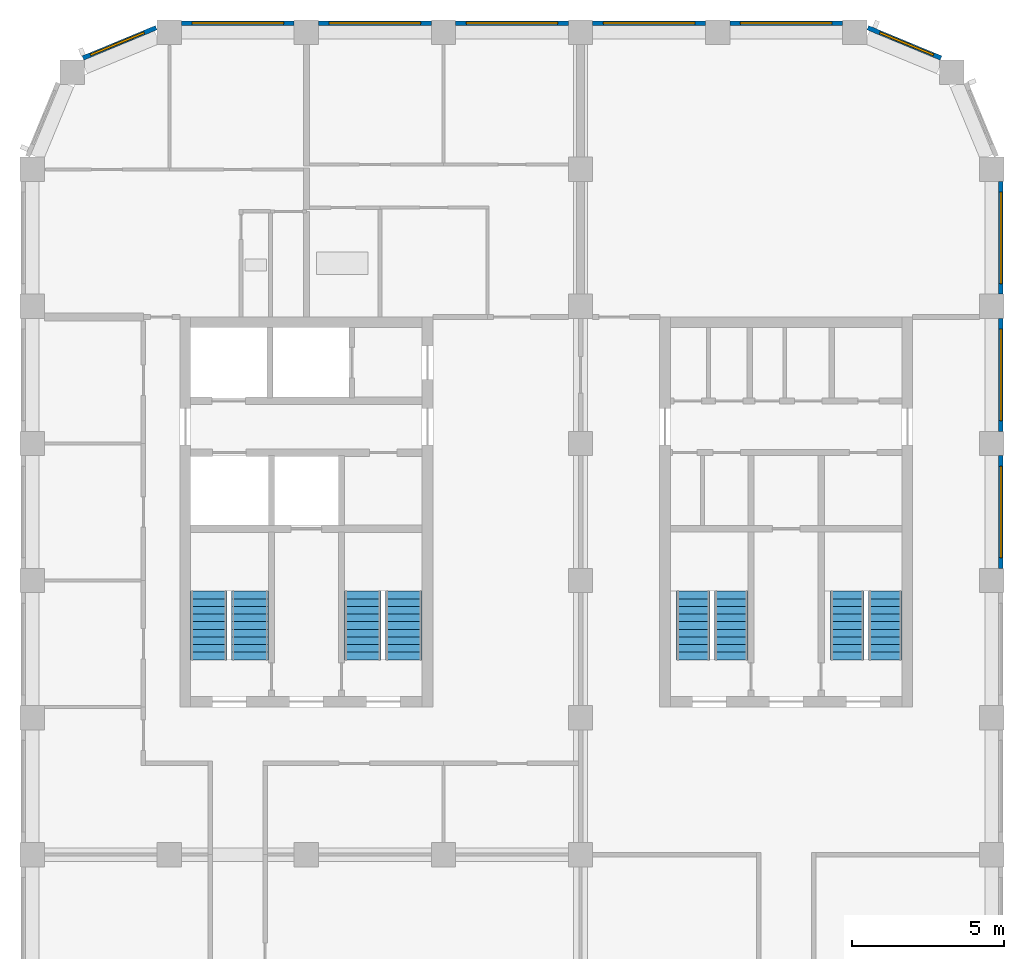
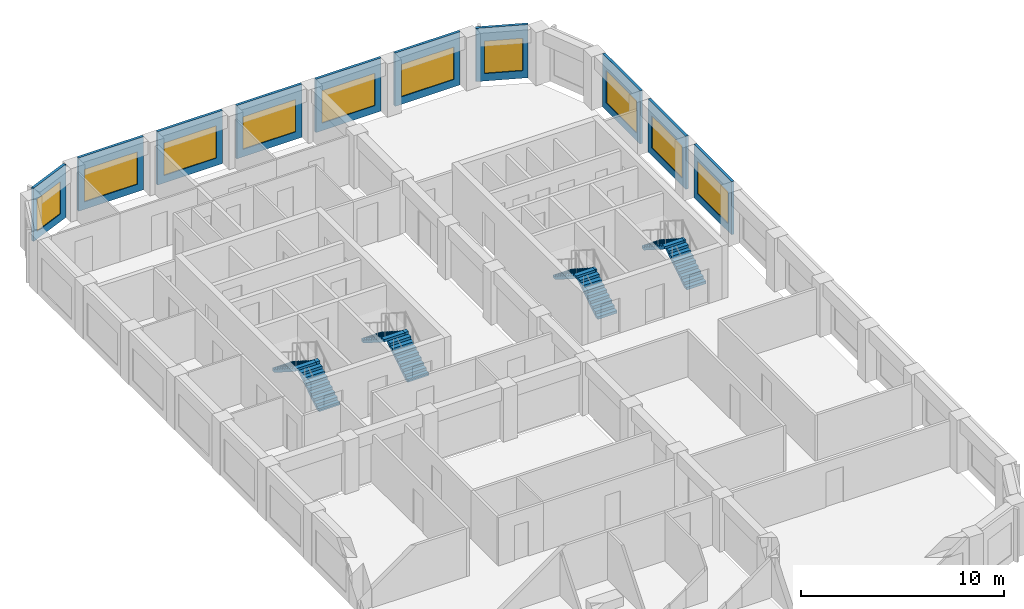
# One storey, part 7 of 9: 10 walls, 10 windows, 8 stair flights, 10 openings, 4 elements without a shape of their own.
"""IFC4 building model written with IfcOpenShell, lengths in metres."""

from ifc_helpers import new_model, si_unit, direction, frame, frame_2d, origin, place, context, subcontext, project, spatial, polyline, rectangle, outline, extrude, material, layer, layer_set, type_object, element, fill, aggregate, save


model = new_model("IFC4")

# Units and contexts
model_context = context("Model", 3, precision=1e-05, world=origin(), true_north=direction((0.0, 1.0)))
body_context = subcontext(model_context, "Body", "Model", "MODEL_VIEW")
ifc_project = project(units=[si_unit("LENGTHUNIT", "METRE"), si_unit("AREAUNIT", "SQUARE_METRE"), si_unit("VOLUMEUNIT", "CUBIC_METRE"), si_unit("PLANEANGLEUNIT", "RADIAN"), si_unit("MASSUNIT", "GRAM", prefix="KILO")], contexts=[model_context])

# Site, building, storey
site_placement = place(None, origin())
site = spatial("IfcSite", under=ifc_project, at=site_placement, CompositionType="ELEMENT")
building_placement = place(site_placement, origin())
building = spatial("IfcBuilding", under=site, at=building_placement, Name="Girih Gate Residences", CompositionType="ELEMENT")
storey_placement = place(building_placement, frame((0.0, 0.0, 216.4951171875)))
storey = spatial("IfcBuildingStorey", under=building, at=storey_placement, Name="L60", CompositionType="ELEMENT", Elevation=216.4951171875)

# Wall, opening, window
ifc_material_1 = material(Name="Precast concrete C50/60", Category="concrete")
ifc_layer_1 = layer(ifc_material_1, 0.050048828125, Name="Outer leaf")
ifc_material_2 = material(Name="Rigid PIR insulation")
ifc_layer_2 = layer(ifc_material_2, 0.06005859375, Name="Insulation")
ifc_material_3 = material(Name="Precast concrete C40/50", Category="concrete")
ifc_layer_3 = layer(ifc_material_3, 0.0400390625, Name="Inner leaf")
ifc_layer_set = layer_set([ifc_layer_1, ifc_layer_2, ifc_layer_3], Name="Precast concrete C50/60 external wall 150")
wall_type = type_object("IfcWallType", Name="Precast concrete C50/60 external wall 150", PredefinedType="SOLIDWALL", material=ifc_layer_set)
wall_1_placement = place(storey_placement, frame((31.800048828125, 35.60009765625, 0.0), z_axis=(0.0, 0.0, 1.0), x_axis=(0.0, -1.0, 0.0)))
wall_1 = element("IfcWall", 1, at=wall_1_placement, inside=storey, type_object=wall_type, Name="External wall E0315_0045.6", PredefinedType="SOLIDWALL", context=body_context, shape_type="SweptSolid", body=[
    extrude(rectangle(XDim=3.7001953125, YDim=0.14990234375, at=frame_2d((1.85009765625, 0.0))), origin(), (0.0, 0.0, 1.0), 3.199951171875),
])
opening_1_placement = place(wall_1_placement, frame((0.35009765625, 0.0, 0.449951171875)))
opening_1 = element("IfcOpeningElement", 2, at=opening_1_placement, cuts=wall_1, Name="Opening W-1D", PredefinedType="OPENING", context=body_context, shape_type="SweptSolid", body=[
    extrude(rectangle(XDim=3.0, YDim=1.949951171875, at=frame_2d((1.5, 0.97509765625))), frame((0.0, 0.0849609375, 0.0), z_axis=(0.0, -1.0, 0.0), x_axis=(1.0, 0.0, 0.0)), (0.0, 0.0, 1.0), 0.169921875),
])
ifc_material_4 = material(Name="Double glazing in aluminium frame", Category="aluminium")
window_type_1 = type_object("IfcWindowType", Name="Window W-1D 3000x1950", PartitioningType="SINGLE_PANEL", PredefinedType="WINDOW", material=ifc_material_4)
window_1_placement = place(opening_1_placement, origin())
window_1 = element("IfcWindow", 3, at=window_1_placement, inside=storey, type_object=window_type_1, Name="Window W-1D E0315_0045.6", OverallHeight=1.949951171875, OverallWidth=3.0, PartitioningType="SINGLE_PANEL", PredefinedType="WINDOW", context=body_context, shape_type="SweptSolid", body=[
    extrude(rectangle(XDim=3.0, YDim=1.949951171875, at=frame_2d((1.5, 0.97509765625))), frame((0.0, 0.030029296875, 0.0), z_axis=(0.0, -1.0, 0.0), x_axis=(1.0, 0.0, 0.0)), (0.0, 0.0, 1.0), 0.06005859375),
])
fill(opening_1, window_1)

wall_2_placement = place(storey_placement, frame((31.800048828125, 40.10009765625, 0.0), z_axis=(0.0, 0.0, 1.0), x_axis=(0.0, -1.0, 0.0)))
wall_2 = element("IfcWall", 4, at=wall_2_placement, inside=storey, type_object=wall_type, Name="External wall E0315_0045.7", PredefinedType="SOLIDWALL", context=body_context, shape_type="SweptSolid", body=[
    extrude(rectangle(XDim=3.7001953125, YDim=0.14990234375, at=frame_2d((1.85009765625, 0.0))), origin(), (0.0, 0.0, 1.0), 3.199951171875),
])
opening_2_placement = place(wall_2_placement, frame((0.35009765625, 0.0, 0.449951171875)))
opening_2 = element("IfcOpeningElement", 5, at=opening_2_placement, cuts=wall_2, Name="Opening W-1D", PredefinedType="OPENING", context=body_context, shape_type="SweptSolid", body=[
    extrude(rectangle(XDim=3.0, YDim=1.949951171875, at=frame_2d((1.5, 0.97509765625))), frame((0.0, 0.0849609375, 0.0), z_axis=(0.0, -1.0, 0.0), x_axis=(1.0, 0.0, 0.0)), (0.0, 0.0, 1.0), 0.169921875),
])
window_2_placement = place(opening_2_placement, origin())
window_2 = element("IfcWindow", 6, at=window_2_placement, inside=storey, type_object=window_type_1, Name="Window W-1D E0315_0045.7", OverallHeight=1.949951171875, OverallWidth=3.0, PartitioningType="SINGLE_PANEL", PredefinedType="WINDOW", context=body_context, shape_type="SweptSolid", body=[
    extrude(rectangle(XDim=3.0, YDim=1.949951171875, at=frame_2d((1.5, 0.97509765625))), frame((0.0, 0.030029296875, 0.0), z_axis=(0.0, -1.0, 0.0), x_axis=(1.0, 0.0, 0.0)), (0.0, 0.0, 1.0), 0.06005859375),
])
fill(opening_2, window_2)

wall_3_placement = place(storey_placement, frame((31.800048828125, 44.60009765625, 0.0), z_axis=(0.0, 0.0, 1.0), x_axis=(0.0, -1.0, 0.0)))
wall_3 = element("IfcWall", 7, at=wall_3_placement, inside=storey, type_object=wall_type, Name="External wall E0315_0045.8", PredefinedType="SOLIDWALL", context=body_context, shape_type="SweptSolid", body=[
    extrude(rectangle(XDim=3.7001953125, YDim=0.14990234375, at=frame_2d((1.85009765625, 0.0))), origin(), (0.0, 0.0, 1.0), 3.199951171875),
])
opening_3_placement = place(wall_3_placement, frame((0.35009765625, 0.0, 0.449951171875)))
opening_3 = element("IfcOpeningElement", 8, at=opening_3_placement, cuts=wall_3, Name="Opening W-1D", PredefinedType="OPENING", context=body_context, shape_type="SweptSolid", body=[
    extrude(rectangle(XDim=3.0, YDim=1.949951171875, at=frame_2d((1.5, 0.97509765625))), frame((0.0, 0.0849609375, 0.0), z_axis=(0.0, -1.0, 0.0), x_axis=(1.0, 0.0, 0.0)), (0.0, 0.0, 1.0), 0.169921875),
])
window_3_placement = place(opening_3_placement, origin())
window_3 = element("IfcWindow", 9, at=window_3_placement, inside=storey, type_object=window_type_1, Name="Window W-1D E0315_0045.8", OverallHeight=1.949951171875, OverallWidth=3.0, PartitioningType="SINGLE_PANEL", PredefinedType="WINDOW", context=body_context, shape_type="SweptSolid", body=[
    extrude(rectangle(XDim=3.0, YDim=1.949951171875, at=frame_2d((1.5, 0.97509765625))), frame((0.0, 0.030029296875, 0.0), z_axis=(0.0, -1.0, 0.0), x_axis=(1.0, 0.0, 0.0)), (0.0, 0.0, 1.0), 0.06005859375),
])
fill(opening_3, window_3)

wall_4_placement = place(storey_placement, frame((27.4287109375, 49.647216796875, 0.0), z_axis=(0.0, 0.0, 1.0), x_axis=(0.923885342263, -0.382669406082, 0.0)))
wall_4 = element("IfcWall", 10, at=wall_4_placement, inside=storey, type_object=wall_type, Name="External wall NE0302_0482.0", PredefinedType="SOLIDWALL", context=body_context, shape_type="SweptSolid", body=[
    extrude(rectangle(XDim=2.602294921875, YDim=0.14990234375, at=frame_2d((1.30126953125, 0.0))), origin(), (0.0, 0.0, 1.0), 3.199951171875),
])
opening_4_placement = place(wall_4_placement, frame((0.432373046875, 0.0, 0.449951171875)))
opening_4 = element("IfcOpeningElement", 11, at=opening_4_placement, cuts=wall_4, Name="Opening W-2G", PredefinedType="OPENING", context=body_context, shape_type="SweptSolid", body=[
    extrude(rectangle(XDim=1.89990234375, YDim=1.949951171875, at=frame_2d((0.949951171875, 0.97509765625))), frame((0.0, 0.0849609375, 0.0), z_axis=(0.0, -1.0, 0.0), x_axis=(1.0, 0.0, 0.0)), (0.0, 0.0, 1.0), 0.169921875),
])
window_type_2 = type_object("IfcWindowType", Name="Window W-2G 1900x1950", PartitioningType="SINGLE_PANEL", PredefinedType="WINDOW", material=ifc_material_4)
window_4_placement = place(opening_4_placement, origin())
window_4 = element("IfcWindow", 12, at=window_4_placement, inside=storey, type_object=window_type_2, Name="Window W-2G NE0302_0482.0", OverallHeight=1.949951171875, OverallWidth=1.89990234375, PartitioningType="SINGLE_PANEL", PredefinedType="WINDOW", context=body_context, shape_type="SweptSolid", body=[
    extrude(rectangle(XDim=1.89990234375, YDim=1.949951171875, at=frame_2d((0.949951171875, 0.97509765625))), frame((0.0, 0.030029296875, 0.0), z_axis=(0.0, -1.0, 0.0), x_axis=(1.0, 0.0, 0.0)), (0.0, 0.0, 1.0), 0.06005859375),
])
fill(opening_4, window_4)

wall_5_placement = place(storey_placement, frame((22.89990234375, 49.800048828125, 0.0), z_axis=(0.0, 0.0, 1.0), x_axis=(1.0, 0.0, 0.0)))
wall_5 = element("IfcWall", 13, at=wall_5_placement, inside=storey, type_object=wall_type, Name="External wall N0270_0495.0", PredefinedType="SOLIDWALL", context=body_context, shape_type="SweptSolid", body=[
    extrude(rectangle(XDim=3.7001953125, YDim=0.14990234375, at=frame_2d((1.85009765625, 0.0))), origin(), (0.0, 0.0, 1.0), 3.199951171875),
])
opening_5_placement = place(wall_5_placement, frame((0.35009765625, 0.0, 0.449951171875)))
opening_5 = element("IfcOpeningElement", 14, at=opening_5_placement, cuts=wall_5, Name="Opening W-1D", PredefinedType="OPENING", context=body_context, shape_type="SweptSolid", body=[
    extrude(rectangle(XDim=3.0, YDim=1.949951171875, at=frame_2d((1.5, 0.97509765625))), frame((0.0, 0.0849609375, 0.0), z_axis=(0.0, -1.0, 0.0), x_axis=(1.0, 0.0, 0.0)), (0.0, 0.0, 1.0), 0.169921875),
])
window_5_placement = place(opening_5_placement, origin())
window_5 = element("IfcWindow", 15, at=window_5_placement, inside=storey, type_object=window_type_1, Name="Window W-1D N0270_0495.0", OverallHeight=1.949951171875, OverallWidth=3.0, PartitioningType="SINGLE_PANEL", PredefinedType="WINDOW", context=body_context, shape_type="SweptSolid", body=[
    extrude(rectangle(XDim=3.0, YDim=1.949951171875, at=frame_2d((1.5, 0.97509765625))), frame((0.0, 0.030029296875, 0.0), z_axis=(0.0, -1.0, 0.0), x_axis=(1.0, 0.0, 0.0)), (0.0, 0.0, 1.0), 0.06005859375),
])
fill(opening_5, window_5)

wall_6_placement = place(storey_placement, frame((18.39990234375, 49.800048828125, 0.0), z_axis=(0.0, 0.0, 1.0), x_axis=(1.0, 0.0, 0.0)))
wall_6 = element("IfcWall", 16, at=wall_6_placement, inside=storey, type_object=wall_type, Name="External wall N0270_0495.1", PredefinedType="SOLIDWALL", context=body_context, shape_type="SweptSolid", body=[
    extrude(rectangle(XDim=3.7001953125, YDim=0.14990234375, at=frame_2d((1.85009765625, 0.0))), origin(), (0.0, 0.0, 1.0), 3.199951171875),
])
opening_6_placement = place(wall_6_placement, frame((0.35009765625, 0.0, 0.449951171875)))
opening_6 = element("IfcOpeningElement", 17, at=opening_6_placement, cuts=wall_6, Name="Opening W-1D", PredefinedType="OPENING", context=body_context, shape_type="SweptSolid", body=[
    extrude(rectangle(XDim=3.0, YDim=1.949951171875, at=frame_2d((1.5, 0.97509765625))), frame((0.0, 0.0849609375, 0.0), z_axis=(0.0, -1.0, 0.0), x_axis=(1.0, 0.0, 0.0)), (0.0, 0.0, 1.0), 0.169921875),
])
window_6_placement = place(opening_6_placement, origin())
window_6 = element("IfcWindow", 18, at=window_6_placement, inside=storey, type_object=window_type_1, Name="Window W-1D N0270_0495.1", OverallHeight=1.949951171875, OverallWidth=3.0, PartitioningType="SINGLE_PANEL", PredefinedType="WINDOW", context=body_context, shape_type="SweptSolid", body=[
    extrude(rectangle(XDim=3.0, YDim=1.949951171875, at=frame_2d((1.5, 0.97509765625))), frame((0.0, 0.030029296875, 0.0), z_axis=(0.0, -1.0, 0.0), x_axis=(1.0, 0.0, 0.0)), (0.0, 0.0, 1.0), 0.06005859375),
])
fill(opening_6, window_6)

wall_7_placement = place(storey_placement, frame((13.89990234375, 49.800048828125, 0.0), z_axis=(0.0, 0.0, 1.0), x_axis=(1.0, 0.0, 0.0)))
wall_7 = element("IfcWall", 19, at=wall_7_placement, inside=storey, type_object=wall_type, Name="External wall N0270_0495.2", PredefinedType="SOLIDWALL", context=body_context, shape_type="SweptSolid", body=[
    extrude(rectangle(XDim=3.7001953125, YDim=0.14990234375, at=frame_2d((1.85009765625, 0.0))), origin(), (0.0, 0.0, 1.0), 3.199951171875),
])
opening_7_placement = place(wall_7_placement, frame((0.35009765625, 0.0, 0.449951171875)))
opening_7 = element("IfcOpeningElement", 20, at=opening_7_placement, cuts=wall_7, Name="Opening W-1D", PredefinedType="OPENING", context=body_context, shape_type="SweptSolid", body=[
    extrude(rectangle(XDim=3.0, YDim=1.949951171875, at=frame_2d((1.5, 0.97509765625))), frame((0.0, 0.0849609375, 0.0), z_axis=(0.0, -1.0, 0.0), x_axis=(1.0, 0.0, 0.0)), (0.0, 0.0, 1.0), 0.169921875),
])
window_7_placement = place(opening_7_placement, origin())
window_7 = element("IfcWindow", 21, at=window_7_placement, inside=storey, type_object=window_type_1, Name="Window W-1D N0270_0495.2", OverallHeight=1.949951171875, OverallWidth=3.0, PartitioningType="SINGLE_PANEL", PredefinedType="WINDOW", context=body_context, shape_type="SweptSolid", body=[
    extrude(rectangle(XDim=3.0, YDim=1.949951171875, at=frame_2d((1.5, 0.97509765625))), frame((0.0, 0.030029296875, 0.0), z_axis=(0.0, -1.0, 0.0), x_axis=(1.0, 0.0, 0.0)), (0.0, 0.0, 1.0), 0.06005859375),
])
fill(opening_7, window_7)

wall_8_placement = place(storey_placement, frame((9.39990234375, 49.800048828125, 0.0), z_axis=(0.0, 0.0, 1.0), x_axis=(1.0, 0.0, 0.0)))
wall_8 = element("IfcWall", 22, at=wall_8_placement, inside=storey, type_object=wall_type, Name="External wall N0270_0495.3", PredefinedType="SOLIDWALL", context=body_context, shape_type="SweptSolid", body=[
    extrude(rectangle(XDim=3.7001953125, YDim=0.14990234375, at=frame_2d((1.85009765625, 0.0))), origin(), (0.0, 0.0, 1.0), 3.199951171875),
])
opening_8_placement = place(wall_8_placement, frame((0.35009765625, 0.0, 0.449951171875)))
opening_8 = element("IfcOpeningElement", 23, at=opening_8_placement, cuts=wall_8, Name="Opening W-1D", PredefinedType="OPENING", context=body_context, shape_type="SweptSolid", body=[
    extrude(rectangle(XDim=3.0, YDim=1.949951171875, at=frame_2d((1.5, 0.97509765625))), frame((0.0, 0.0849609375, 0.0), z_axis=(0.0, -1.0, 0.0), x_axis=(1.0, 0.0, 0.0)), (0.0, 0.0, 1.0), 0.169921875),
])
window_8_placement = place(opening_8_placement, origin())
window_8 = element("IfcWindow", 24, at=window_8_placement, inside=storey, type_object=window_type_1, Name="Window W-1D N0270_0495.3", OverallHeight=1.949951171875, OverallWidth=3.0, PartitioningType="SINGLE_PANEL", PredefinedType="WINDOW", context=body_context, shape_type="SweptSolid", body=[
    extrude(rectangle(XDim=3.0, YDim=1.949951171875, at=frame_2d((1.5, 0.97509765625))), frame((0.0, 0.030029296875, 0.0), z_axis=(0.0, -1.0, 0.0), x_axis=(1.0, 0.0, 0.0)), (0.0, 0.0, 1.0), 0.06005859375),
])
fill(opening_8, window_8)

wall_9_placement = place(storey_placement, frame((4.89990234375, 49.800048828125, 0.0), z_axis=(0.0, 0.0, 1.0), x_axis=(1.0, 0.0, 0.0)))
wall_9 = element("IfcWall", 25, at=wall_9_placement, inside=storey, type_object=wall_type, Name="External wall N0270_0495.4", PredefinedType="SOLIDWALL", context=body_context, shape_type="SweptSolid", body=[
    extrude(rectangle(XDim=3.7001953125, YDim=0.14990234375, at=frame_2d((1.85009765625, 0.0))), origin(), (0.0, 0.0, 1.0), 3.199951171875),
])
opening_9_placement = place(wall_9_placement, frame((0.35009765625, 0.0, 0.449951171875)))
opening_9 = element("IfcOpeningElement", 26, at=opening_9_placement, cuts=wall_9, Name="Opening W-1D", PredefinedType="OPENING", context=body_context, shape_type="SweptSolid", body=[
    extrude(rectangle(XDim=3.0, YDim=1.949951171875, at=frame_2d((1.5, 0.97509765625))), frame((0.0, 0.0849609375, 0.0), z_axis=(0.0, -1.0, 0.0), x_axis=(1.0, 0.0, 0.0)), (0.0, 0.0, 1.0), 0.169921875),
])
window_9_placement = place(opening_9_placement, origin())
window_9 = element("IfcWindow", 27, at=window_9_placement, inside=storey, type_object=window_type_1, Name="Window W-1D N0270_0495.4", OverallHeight=1.949951171875, OverallWidth=3.0, PartitioningType="SINGLE_PANEL", PredefinedType="WINDOW", context=body_context, shape_type="SweptSolid", body=[
    extrude(rectangle(XDim=3.0, YDim=1.949951171875, at=frame_2d((1.5, 0.97509765625))), frame((0.0, 0.030029296875, 0.0), z_axis=(0.0, -1.0, 0.0), x_axis=(1.0, 0.0, 0.0)), (0.0, 0.0, 1.0), 0.06005859375),
])
fill(opening_9, window_9)

wall_10_placement = place(storey_placement, frame((1.6669921875, 48.6513671875, 0.0), z_axis=(0.0, 0.0, 1.0), x_axis=(0.923885342263, 0.382669406082, 0.0)))
wall_10 = element("IfcWall", 28, at=wall_10_placement, inside=storey, type_object=wall_type, Name="External wall NW0045_0495.0", PredefinedType="SOLIDWALL", context=body_context, shape_type="SweptSolid", body=[
    extrude(rectangle(XDim=2.602294921875, YDim=0.14990234375, at=frame_2d((1.30126953125, 0.0))), origin(), (0.0, 0.0, 1.0), 3.199951171875),
])
opening_10_placement = place(wall_10_placement, frame((0.27001953125, 0.0, 0.449951171875)))
opening_10 = element("IfcOpeningElement", 29, at=opening_10_placement, cuts=wall_10, Name="Opening W-2G", PredefinedType="OPENING", context=body_context, shape_type="SweptSolid", body=[
    extrude(rectangle(XDim=1.89990234375, YDim=1.949951171875, at=frame_2d((0.949951171875, 0.97509765625))), frame((0.0, 0.0849609375, 0.0), z_axis=(0.0, -1.0, 0.0), x_axis=(1.0, 0.0, 0.0)), (0.0, 0.0, 1.0), 0.169921875),
])
window_10_placement = place(opening_10_placement, origin())
window_10 = element("IfcWindow", 30, at=window_10_placement, inside=storey, type_object=window_type_2, Name="Window W-2G NW0045_0495.0", OverallHeight=1.949951171875, OverallWidth=1.89990234375, PartitioningType="SINGLE_PANEL", PredefinedType="WINDOW", context=body_context, shape_type="SweptSolid", body=[
    extrude(rectangle(XDim=1.89990234375, YDim=1.949951171875, at=frame_2d((0.949951171875, 0.97509765625))), frame((0.0, 0.030029296875, 0.0), z_axis=(0.0, -1.0, 0.0), x_axis=(1.0, 0.0, 0.0)), (0.0, 0.0, 1.0), 0.06005859375),
])
fill(opening_10, window_10)

# Stair, stair flights
ifc_material_5 = material(Name="Concrete C40/50", Category="concrete")
stair_type_1 = type_object("IfcStairType", Name="Exit stair C core", PredefinedType="HALF_TURN_STAIR", material=ifc_material_5)
stair_1_placement = place(storey_placement, origin())
stair_1 = element("IfcStair", 31, at=stair_1_placement, inside=storey, type_object=stair_type_1, Name="L60 Exit Stair ST-C1", PredefinedType="HALF_TURN_STAIR")
stair_flight_type_1 = type_object("IfcStairFlightType", Name="Stair flight 1100", PredefinedType="STRAIGHT", material=ifc_material_5)
stair_flight_1_placement = place(storey_placement, frame((22.949951171875, 28.89990234375, 0.0), z_axis=(0.0, 0.0, 1.0), x_axis=(0.0, 1.0, 0.0)))
stair_flight_1 = element("IfcStairFlight", 32, at=stair_flight_1_placement, type_object=stair_flight_type_1, Name="ST-C1 flight 1", NumberOfRisers=10, NumberOfTreads=9, PredefinedType="STRAIGHT", RiserHeight=0.16, TreadLength=0.25, context=body_context, shape_type="SweptSolid", body=[
    extrude(outline(polyline([(0.0, 0.0), (0.0, 0.159912109375), (0.25, 0.159912109375), (0.25, 0.320068359375), (0.5, 0.320068359375), (0.5, 0.47998046875), (0.75, 0.47998046875), (0.75, 0.639892578125), (1.0, 0.639892578125), (1.0, 0.800048828125), (1.25, 0.800048828125), (1.25, 0.9599609375), (1.5, 0.9599609375), (1.5, 1.1201171875), (1.75, 1.1201171875), (1.75, 1.280029296875), (2.0, 1.280029296875), (2.0, 1.43994140625), (2.25, 1.43994140625), (2.25, 1.60009765625), (2.25, 1.29736328125), (0.222900390625, 0.0), (0.0, 0.0)])), frame((0.0, 0.550048828125, 0.0), z_axis=(0.0, -1.0, 0.0), x_axis=(1.0, 0.0, 0.0)), (0.0, 0.0, 1.0), 1.10009765625),
])
stair_flight_2_placement = place(storey_placement, frame((21.699951171875, 31.14990234375, 1.599853515625), z_axis=(0.0, 0.0, 1.0), x_axis=(0.0, -1.0, 0.0)))
stair_flight_2 = element("IfcStairFlight", 33, at=stair_flight_2_placement, type_object=stair_flight_type_1, Name="ST-C1 flight 2", NumberOfRisers=10, NumberOfTreads=9, PredefinedType="STRAIGHT", RiserHeight=0.16, TreadLength=0.25, context=body_context, shape_type="SweptSolid", body=[
    extrude(outline(polyline([(0.0, 0.0), (0.0, 0.159912109375), (0.25, 0.159912109375), (0.25, 0.320068359375), (0.5, 0.320068359375), (0.5, 0.47998046875), (0.75, 0.47998046875), (0.75, 0.639892578125), (1.0, 0.639892578125), (1.0, 0.800048828125), (1.25, 0.800048828125), (1.25, 0.9599609375), (1.5, 0.9599609375), (1.5, 1.1201171875), (1.75, 1.1201171875), (1.75, 1.280029296875), (2.0, 1.280029296875), (2.0, 1.43994140625), (2.25, 1.43994140625), (2.25, 1.60009765625), (2.25, 1.29736328125), (0.222900390625, 0.0), (0.0, 0.0)])), frame((0.0, 0.550048828125, 0.0), z_axis=(0.0, -1.0, 0.0), x_axis=(1.0, 0.0, 0.0)), (0.0, 0.0, 1.0), 1.10009765625),
])
aggregate(stair_1, [stair_flight_1, stair_flight_2])

stair_2_placement = place(storey_placement, origin())
stair_2 = element("IfcStair", 34, at=stair_2_placement, inside=storey, type_object=stair_type_1, Name="L60 Exit Stair ST-C2", PredefinedType="HALF_TURN_STAIR")
stair_flight_3_placement = place(storey_placement, frame((28.0, 28.89990234375, 0.0), z_axis=(0.0, 0.0, 1.0), x_axis=(0.0, 1.0, 0.0)))
stair_flight_3 = element("IfcStairFlight", 35, at=stair_flight_3_placement, type_object=stair_flight_type_1, Name="ST-C2 flight 1", NumberOfRisers=10, NumberOfTreads=9, PredefinedType="STRAIGHT", RiserHeight=0.16, TreadLength=0.25, context=body_context, shape_type="SweptSolid", body=[
    extrude(outline(polyline([(0.0, 0.0), (0.0, 0.159912109375), (0.25, 0.159912109375), (0.25, 0.320068359375), (0.5, 0.320068359375), (0.5, 0.47998046875), (0.75, 0.47998046875), (0.75, 0.639892578125), (1.0, 0.639892578125), (1.0, 0.800048828125), (1.25, 0.800048828125), (1.25, 0.9599609375), (1.5, 0.9599609375), (1.5, 1.1201171875), (1.75, 1.1201171875), (1.75, 1.280029296875), (2.0, 1.280029296875), (2.0, 1.43994140625), (2.25, 1.43994140625), (2.25, 1.60009765625), (2.25, 1.29736328125), (0.222900390625, 0.0), (0.0, 0.0)])), frame((0.0, 0.550048828125, 0.0), z_axis=(0.0, -1.0, 0.0), x_axis=(1.0, 0.0, 0.0)), (0.0, 0.0, 1.0), 1.10009765625),
])
stair_flight_4_placement = place(storey_placement, frame((26.75, 31.14990234375, 1.599853515625), z_axis=(0.0, 0.0, 1.0), x_axis=(0.0, -1.0, 0.0)))
stair_flight_4 = element("IfcStairFlight", 36, at=stair_flight_4_placement, type_object=stair_flight_type_1, Name="ST-C2 flight 2", NumberOfRisers=10, NumberOfTreads=9, PredefinedType="STRAIGHT", RiserHeight=0.16, TreadLength=0.25, context=body_context, shape_type="SweptSolid", body=[
    extrude(outline(polyline([(0.0, 0.0), (0.0, 0.159912109375), (0.25, 0.159912109375), (0.25, 0.320068359375), (0.5, 0.320068359375), (0.5, 0.47998046875), (0.75, 0.47998046875), (0.75, 0.639892578125), (1.0, 0.639892578125), (1.0, 0.800048828125), (1.25, 0.800048828125), (1.25, 0.9599609375), (1.5, 0.9599609375), (1.5, 1.1201171875), (1.75, 1.1201171875), (1.75, 1.280029296875), (2.0, 1.280029296875), (2.0, 1.43994140625), (2.25, 1.43994140625), (2.25, 1.60009765625), (2.25, 1.29736328125), (0.222900390625, 0.0), (0.0, 0.0)])), frame((0.0, 0.550048828125, 0.0), z_axis=(0.0, -1.0, 0.0), x_axis=(1.0, 0.0, 0.0)), (0.0, 0.0, 1.0), 1.10009765625),
])
aggregate(stair_2, [stair_flight_3, stair_flight_4])

stair_type_2 = type_object("IfcStairType", Name="Exit stair", PredefinedType="HALF_TURN_STAIR", material=ifc_material_5)
stair_3_placement = place(storey_placement, origin())
stair_3 = element("IfcStair", 37, at=stair_3_placement, inside=storey, type_object=stair_type_2, Name="L60 Exit Stair ST-W1", PredefinedType="HALF_TURN_STAIR")
stair_flight_type_2 = type_object("IfcStairFlightType", Name="Stair flight 1200", PredefinedType="STRAIGHT", material=ifc_material_5)
stair_flight_5_placement = place(storey_placement, frame((7.14990234375, 28.89990234375, 0.0), z_axis=(0.0, 0.0, 1.0), x_axis=(0.0, 1.0, 0.0)))
stair_flight_5 = element("IfcStairFlight", 38, at=stair_flight_5_placement, type_object=stair_flight_type_2, Name="ST-W1 flight 1", NumberOfRisers=10, NumberOfTreads=9, PredefinedType="STRAIGHT", RiserHeight=0.16, TreadLength=0.25, context=body_context, shape_type="SweptSolid", body=[
    extrude(outline(polyline([(0.0, 0.0), (0.0, 0.159912109375), (0.25, 0.159912109375), (0.25, 0.320068359375), (0.5, 0.320068359375), (0.5, 0.47998046875), (0.75, 0.47998046875), (0.75, 0.639892578125), (1.0, 0.639892578125), (1.0, 0.800048828125), (1.25, 0.800048828125), (1.25, 0.9599609375), (1.5, 0.9599609375), (1.5, 1.1201171875), (1.75, 1.1201171875), (1.75, 1.280029296875), (2.0, 1.280029296875), (2.0, 1.43994140625), (2.25, 1.43994140625), (2.25, 1.60009765625), (2.25, 1.29736328125), (0.222900390625, 0.0), (0.0, 0.0)])), frame((0.0, 0.60009765625, 0.0), z_axis=(0.0, -1.0, 0.0), x_axis=(1.0, 0.0, 0.0)), (0.0, 0.0, 1.0), 1.199951171875),
])
stair_flight_6_placement = place(storey_placement, frame((5.800048828125, 31.14990234375, 1.599853515625), z_axis=(0.0, 0.0, 1.0), x_axis=(0.0, -1.0, 0.0)))
stair_flight_6 = element("IfcStairFlight", 39, at=stair_flight_6_placement, type_object=stair_flight_type_2, Name="ST-W1 flight 2", NumberOfRisers=10, NumberOfTreads=9, PredefinedType="STRAIGHT", RiserHeight=0.16, TreadLength=0.25, context=body_context, shape_type="SweptSolid", body=[
    extrude(outline(polyline([(0.0, 0.0), (0.0, 0.159912109375), (0.25, 0.159912109375), (0.25, 0.320068359375), (0.5, 0.320068359375), (0.5, 0.47998046875), (0.75, 0.47998046875), (0.75, 0.639892578125), (1.0, 0.639892578125), (1.0, 0.800048828125), (1.25, 0.800048828125), (1.25, 0.9599609375), (1.5, 0.9599609375), (1.5, 1.1201171875), (1.75, 1.1201171875), (1.75, 1.280029296875), (2.0, 1.280029296875), (2.0, 1.43994140625), (2.25, 1.43994140625), (2.25, 1.60009765625), (2.25, 1.29736328125), (0.222900390625, 0.0), (0.0, 0.0)])), frame((0.0, 0.60009765625, 0.0), z_axis=(0.0, -1.0, 0.0), x_axis=(1.0, 0.0, 0.0)), (0.0, 0.0, 1.0), 1.199951171875),
])
aggregate(stair_3, [stair_flight_5, stair_flight_6])

stair_4_placement = place(storey_placement, origin())
stair_4 = element("IfcStair", 40, at=stair_4_placement, inside=storey, type_object=stair_type_2, Name="L60 Exit Stair ST-W2", PredefinedType="HALF_TURN_STAIR")
stair_flight_7_placement = place(storey_placement, frame((12.199951171875, 28.89990234375, 0.0), z_axis=(0.0, 0.0, 1.0), x_axis=(0.0, 1.0, 0.0)))
stair_flight_7 = element("IfcStairFlight", 41, at=stair_flight_7_placement, type_object=stair_flight_type_2, Name="ST-W2 flight 1", NumberOfRisers=10, NumberOfTreads=9, PredefinedType="STRAIGHT", RiserHeight=0.16, TreadLength=0.25, context=body_context, shape_type="SweptSolid", body=[
    extrude(outline(polyline([(0.0, 0.0), (0.0, 0.159912109375), (0.25, 0.159912109375), (0.25, 0.320068359375), (0.5, 0.320068359375), (0.5, 0.47998046875), (0.75, 0.47998046875), (0.75, 0.639892578125), (1.0, 0.639892578125), (1.0, 0.800048828125), (1.25, 0.800048828125), (1.25, 0.9599609375), (1.5, 0.9599609375), (1.5, 1.1201171875), (1.75, 1.1201171875), (1.75, 1.280029296875), (2.0, 1.280029296875), (2.0, 1.43994140625), (2.25, 1.43994140625), (2.25, 1.60009765625), (2.25, 1.29736328125), (0.222900390625, 0.0), (0.0, 0.0)])), frame((0.0, 0.60009765625, 0.0), z_axis=(0.0, -1.0, 0.0), x_axis=(1.0, 0.0, 0.0)), (0.0, 0.0, 1.0), 1.199951171875),
])
stair_flight_8_placement = place(storey_placement, frame((10.85009765625, 31.14990234375, 1.599853515625), z_axis=(0.0, 0.0, 1.0), x_axis=(0.0, -1.0, 0.0)))
stair_flight_8 = element("IfcStairFlight", 42, at=stair_flight_8_placement, type_object=stair_flight_type_2, Name="ST-W2 flight 2", NumberOfRisers=10, NumberOfTreads=9, PredefinedType="STRAIGHT", RiserHeight=0.16, TreadLength=0.25, context=body_context, shape_type="SweptSolid", body=[
    extrude(outline(polyline([(0.0, 0.0), (0.0, 0.159912109375), (0.25, 0.159912109375), (0.25, 0.320068359375), (0.5, 0.320068359375), (0.5, 0.47998046875), (0.75, 0.47998046875), (0.75, 0.639892578125), (1.0, 0.639892578125), (1.0, 0.800048828125), (1.25, 0.800048828125), (1.25, 0.9599609375), (1.5, 0.9599609375), (1.5, 1.1201171875), (1.75, 1.1201171875), (1.75, 1.280029296875), (2.0, 1.280029296875), (2.0, 1.43994140625), (2.25, 1.43994140625), (2.25, 1.60009765625), (2.25, 1.29736328125), (0.222900390625, 0.0), (0.0, 0.0)])), frame((0.0, 0.60009765625, 0.0), z_axis=(0.0, -1.0, 0.0), x_axis=(1.0, 0.0, 0.0)), (0.0, 0.0, 1.0), 1.199951171875),
])
aggregate(stair_4, [stair_flight_7, stair_flight_8])

save(model, "model.ifc")
